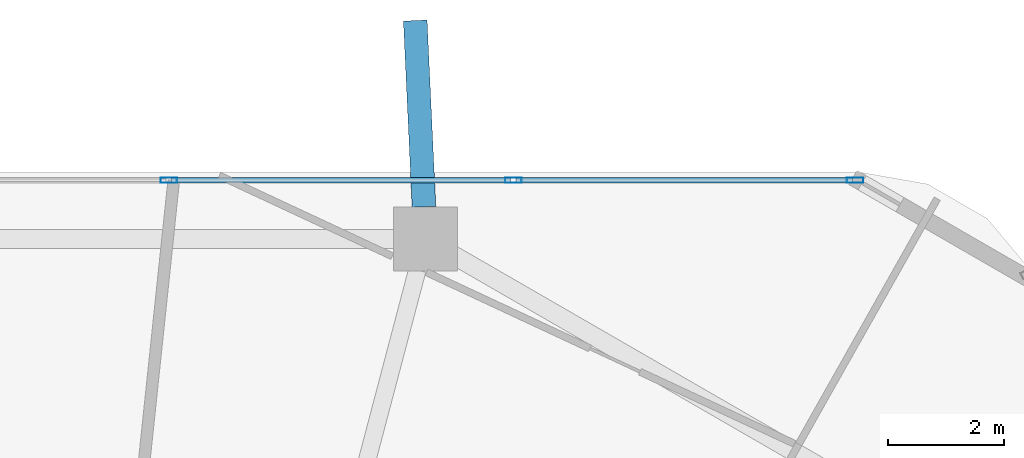
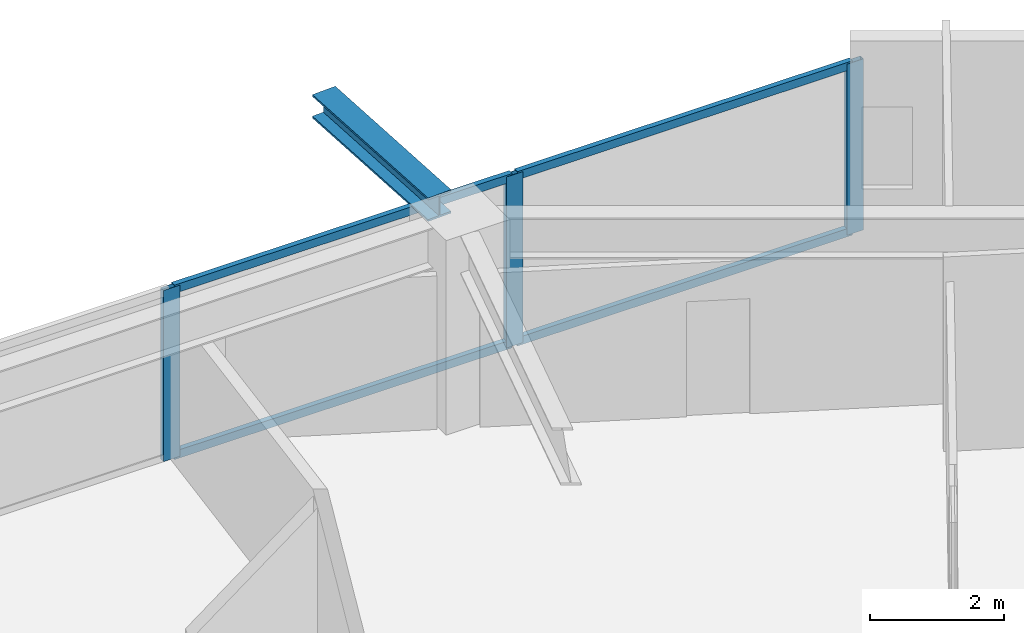
# One storey, part 20 of 33: 7 members, 1 beam, 1 element without a shape of its own.
"""IFC4 building model written with IfcOpenShell, lengths in metres."""

from ifc_helpers import new_model, si_unit, direction, frame, origin, origin_2d, place, context, subcontext, project, spatial, hollow_rectangle, i_section, extrude, material, material_profile, profile_set, type_object, element, aggregate, save


model = new_model("IFC4")

# Units and contexts
model_context = context("Model", 3, precision=1e-05, world=origin(), true_north=direction((0.0, 1.0)))
body_context = subcontext(model_context, "Body", "Model", "MODEL_VIEW")
ifc_project = project(units=[si_unit("LENGTHUNIT", "METRE"), si_unit("AREAUNIT", "SQUARE_METRE"), si_unit("VOLUMEUNIT", "CUBIC_METRE"), si_unit("PLANEANGLEUNIT", "RADIAN"), si_unit("MASSUNIT", "GRAM", prefix="KILO")], contexts=[model_context])

# Site, building, storey
site_placement = place(None, origin())
site = spatial("IfcSite", under=ifc_project, at=site_placement, CompositionType="ELEMENT")
building_placement = place(site_placement, origin())
building = spatial("IfcBuilding", under=site, at=building_placement, Name="Zuhravey Tower", CompositionType="ELEMENT")
storey_placement = place(building_placement, frame((0.0, 0.0, 96.199951171875)))
storey = spatial("IfcBuildingStorey", under=building, at=storey_placement, Name="L23", CompositionType="ELEMENT", Elevation=96.199951171875)

# Curtain wall, members
ifc_material_1 = material(Name="Thermally broken anodised aluminium", Category="aluminium")
curtain_wall_type = type_object("IfcCurtainWallType", Name="Zone 1-2 Residential Curtain Wall CW3", PredefinedType="NOTDEFINED", material=ifc_material_1)
curtain_wall_placement = place(storey_placement, origin())
curtain_wall = element("IfcCurtainWall", 1, at=curtain_wall_placement, inside=storey, type_object=curtain_wall_type, Name="L23 CW3 CW-L23-F2-1", PredefinedType="NOTDEFINED")
ifc_material_2 = material(Name="Anodised aluminium", Category="aluminium")
ifc_material_profile_1 = material_profile(ifc_material_2, hollow_rectangle(XDim=0.090087890625, YDim=0.284912109375, WallThickness=0.0048828125, at=origin_2d()), Name="ALU-RHS-90x285x5")
ifc_profile_set_1 = profile_set([ifc_material_profile_1], Name="Anodised aluminium")
member_type_1 = type_object("IfcMemberType", Name="Curtain-Wall Mullion 90x180", PredefinedType="MULLION", material=ifc_profile_set_1)
member_1_placement = place(storey_placement, frame((38.9599609375, 60.95849609375, 0.0), z_axis=(0.0, 0.0, 1.0), x_axis=(0.0, 1.0, 0.0)))
member_1 = element("IfcMember", 2, at=member_1_placement, type_object=member_type_1, Name="CW3 mullion 4", PredefinedType="MULLION", context=body_context, shape_type="SweptSolid", body=[
    extrude(hollow_rectangle(XDim=0.090087890625, YDim=0.284912109375, WallThickness=0.0048828125, at=origin_2d()), origin(), (0.0, 0.0, 1.0), 3.1220703125),
])
member_2_placement = place(storey_placement, frame((44.879638671875, 60.95849609375, 0.0), z_axis=(0.0, 0.0, 1.0), x_axis=(0.0, 1.0, 0.0)))
member_2 = element("IfcMember", 3, at=member_2_placement, type_object=member_type_1, Name="CW3 mullion 5", PredefinedType="MULLION", context=body_context, shape_type="SweptSolid", body=[
    extrude(hollow_rectangle(XDim=0.090087890625, YDim=0.284912109375, WallThickness=0.0048828125, at=origin_2d()), origin(), (0.0, 0.0, 1.0), 3.1220703125),
])
member_3_placement = place(storey_placement, frame((50.75439453125, 60.95849609375, 0.0), z_axis=(0.0, 0.0, 1.0), x_axis=(0.0, 1.0, 0.0)))
member_3 = element("IfcMember", 4, at=member_3_placement, type_object=member_type_1, Name="CW3 mullion 6", PredefinedType="MULLION", context=body_context, shape_type="SweptSolid", body=[
    extrude(hollow_rectangle(XDim=0.090087890625, YDim=0.284912109375, WallThickness=0.0048828125, at=origin_2d()), origin(), (0.0, 0.0, 1.0), 3.1220703125),
])
ifc_material_profile_2 = material_profile(ifc_material_2, hollow_rectangle(XDim=0.090087890625, YDim=0.14990234375, WallThickness=0.0048828125, at=origin_2d()), Name="ALU-RHS-90x150x5")
ifc_profile_set_2 = profile_set([ifc_material_profile_2], Name="Anodised aluminium")
member_type_2 = type_object("IfcMemberType", Name="Curtain-Wall Transom 90x150", PredefinedType="USERDEFINED", material=ifc_profile_set_2)
member_4_placement = place(storey_placement, frame((39.0048828125, 60.95849609375, 0.045166015625), z_axis=(1.0, 0.0, 0.0), x_axis=(0.0, 1.0, 0.0)))
member_4 = element("IfcMember", 5, at=member_4_placement, type_object=member_type_2, Name="CW3 transom 4.1", ObjectType="TRANSOM", PredefinedType="USERDEFINED", context=body_context, shape_type="SweptSolid", body=[
    extrude(hollow_rectangle(XDim=0.090087890625, YDim=0.14990234375, WallThickness=0.0048828125, at=origin_2d()), origin(), (0.0, 0.0, 1.0), 5.829833984375),
])
member_5_placement = place(storey_placement, frame((39.0048828125, 60.95849609375, 3.0771484375), z_axis=(1.0, 0.0, 0.0), x_axis=(0.0, 1.0, 0.0)))
member_5 = element("IfcMember", 6, at=member_5_placement, type_object=member_type_2, Name="CW3 transom 4.2", ObjectType="TRANSOM", PredefinedType="USERDEFINED", context=body_context, shape_type="SweptSolid", body=[
    extrude(hollow_rectangle(XDim=0.090087890625, YDim=0.14990234375, WallThickness=0.0048828125, at=origin_2d()), origin(), (0.0, 0.0, 1.0), 5.829833984375),
])
member_6_placement = place(storey_placement, frame((44.9248046875, 60.95849609375, 0.045166015625), z_axis=(1.0, 0.0, 0.0), x_axis=(0.0, 1.0, 0.0)))
member_6 = element("IfcMember", 7, at=member_6_placement, type_object=member_type_2, Name="CW3 transom 5.1", ObjectType="TRANSOM", PredefinedType="USERDEFINED", context=body_context, shape_type="SweptSolid", body=[
    extrude(hollow_rectangle(XDim=0.090087890625, YDim=0.14990234375, WallThickness=0.0048828125, at=origin_2d()), origin(), (0.0, 0.0, 1.0), 5.78466796875),
])
member_7_placement = place(storey_placement, frame((44.9248046875, 60.95849609375, 3.0771484375), z_axis=(1.0, 0.0, 0.0), x_axis=(0.0, 1.0, 0.0)))
member_7 = element("IfcMember", 8, at=member_7_placement, type_object=member_type_2, Name="CW3 transom 5.2", ObjectType="TRANSOM", PredefinedType="USERDEFINED", context=body_context, shape_type="SweptSolid", body=[
    extrude(hollow_rectangle(XDim=0.090087890625, YDim=0.14990234375, WallThickness=0.0048828125, at=origin_2d()), origin(), (0.0, 0.0, 1.0), 5.78466796875),
])
aggregate(curtain_wall, [member_1, member_2, member_3, member_4, member_5, member_6, member_7])

# Beam
ifc_material_3 = material(Name="Steel SM460", Category="steel")
ifc_material_profile_3 = material_profile(ifc_material_3, i_section(OverallWidth=0.406982421875, OverallDepth=0.427978515625, WebThickness=0.02001953125, FlangeThickness=0.034912109375, at=origin_2d()), Name="H-428x407x20x35")
ifc_profile_set_3 = profile_set([ifc_material_profile_3], Name="Steel SM460")
beam_type = type_object("IfcBeamType", Name="Exoskeleton Node Tie Beam H428x407", PredefinedType="BEAM", material=ifc_profile_set_3)
beam_placement = place(storey_placement, frame((43.34423828125, 60.50244140625, 3.3359375), z_axis=(-0.046700060299, 0.998908956997, 0.0), x_axis=(-0.998908956997, -0.046700060299, 0.0)))
element("IfcBeam", 9, at=beam_placement, inside=storey, type_object=beam_type, Name="L23 Exoskeleton Node Tie NT1-03", PredefinedType="BEAM", context=body_context, shape_type="SweptSolid", body=[
    extrude(i_section(OverallWidth=0.406982421875, OverallDepth=0.427978515625, WebThickness=0.02001953125, FlangeThickness=0.034912109375, at=origin_2d()), origin(), (0.0, 0.0, 1.0), 3.20458984375),
])

save(model, "model.ifc")
